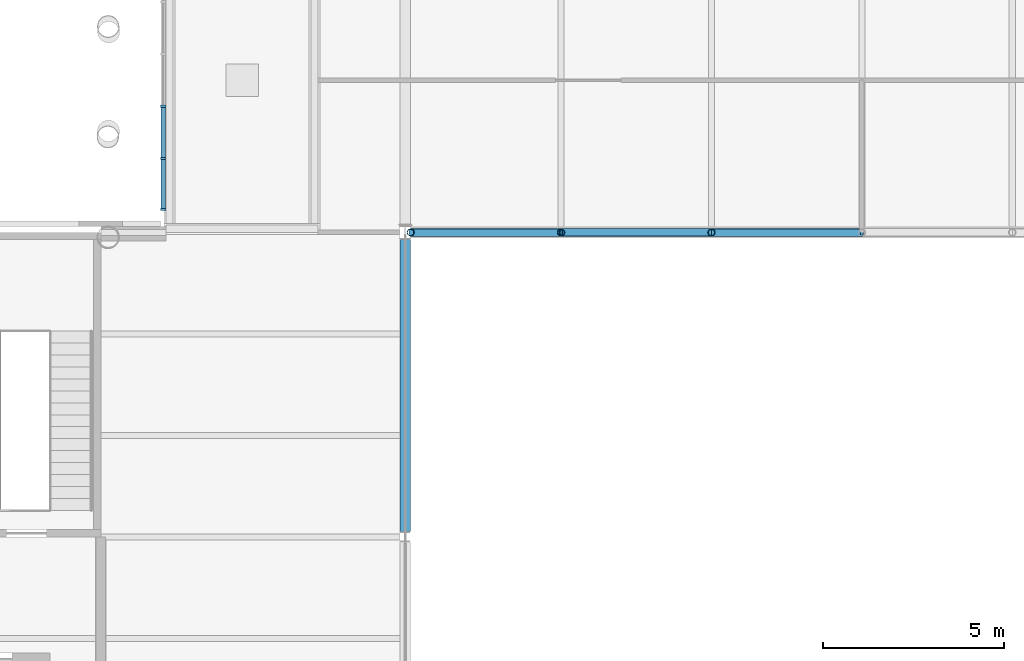
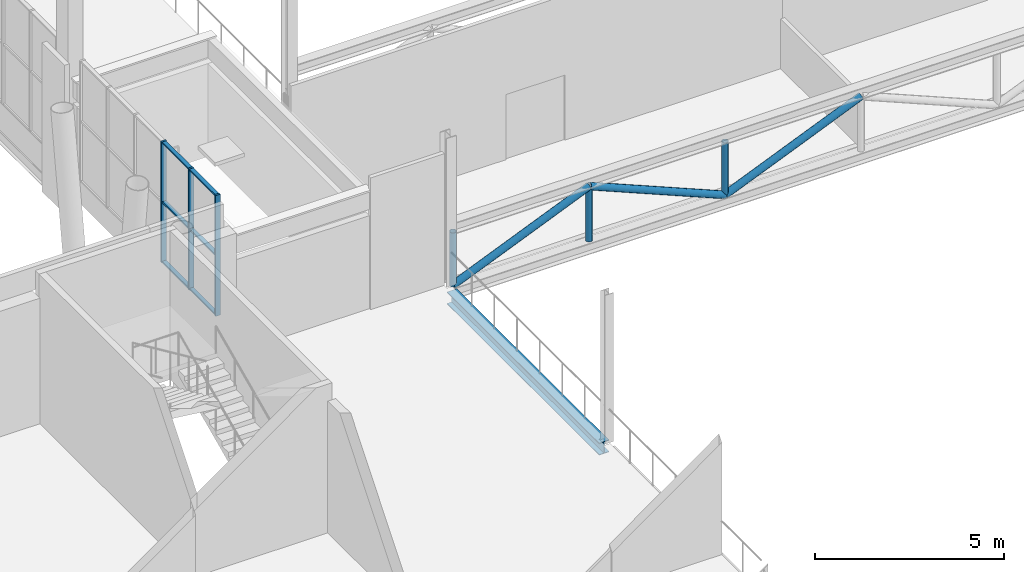
# One storey, part 12 of 76: 15 members, 1 beam, 1 element without a shape of its own.
"""IFC4 building model written with IfcOpenShell, lengths in metres."""

from ifc_helpers import new_model, si_unit, direction, frame, origin, origin_2d, place, context, subcontext, project, spatial, rectangle, hollow_circle, i_section, extrude, material, material_profile, profile_set, type_object, element, aggregate, save


model = new_model("IFC4")

# Units and contexts
model_context = context("Model", 3, precision=1e-05, world=origin(), true_north=direction((0.0, 1.0)))
body_context = subcontext(model_context, "Body", "Model", "MODEL_VIEW")
ifc_project = project(units=[si_unit("LENGTHUNIT", "METRE"), si_unit("AREAUNIT", "SQUARE_METRE"), si_unit("VOLUMEUNIT", "CUBIC_METRE"), si_unit("PLANEANGLEUNIT", "RADIAN"), si_unit("MASSUNIT", "GRAM", prefix="KILO")], contexts=[model_context])

# Site, building, storey
site_placement = place(None, origin())
site = spatial("IfcSite", under=ifc_project, at=site_placement, CompositionType="ELEMENT")
building_placement = place(site_placement, origin())
building = spatial("IfcBuilding", under=site, at=building_placement, Name="Sava Quay Ferry Terminal", CompositionType="ELEMENT")
storey_placement = place(building_placement, frame((0.0, 0.0, 6.0)))
storey = spatial("IfcBuildingStorey", under=building, at=storey_placement, Name="L01", CompositionType="ELEMENT", Elevation=6.0)

# Members
ifc_material_1 = material(Name="Steel S355", Category="steel")
ifc_material_profile_1 = material_profile(ifc_material_1, hollow_circle(Radius=0.096923828125, WallThickness=0.008056640625, at=origin_2d()), Name="CHS 193.7 x 8")
ifc_profile_set_1 = profile_set([ifc_material_profile_1], Name="Steel S355")
member_type_1 = type_object("IfcMemberType", Name="Brace CHS 193.7 x 8", PredefinedType="BRACE", material=ifc_profile_set_1)
for number, where, z_axis, x_axis, name in (
    (1, (50.550048828125, 50.39990234375, -0.1298828125), (0.0, 0.0, 1.0), (1.0, 0.0, 0.0), "Truss post 50.4"),
    (2, (54.699951171875, 50.39990234375, -0.1298828125), (0.0, 0.0, 1.0), (1.0, 0.0, 0.0), "Truss post 50.4"),
    (3, (58.85009765625, 50.39990234375, -0.1298828125), (0.0, 0.0, 1.0), (1.0, 0.0, 0.0), "Truss post 50.4"),
):
    element("IfcMember", number, at=place(storey_placement, frame(where, z_axis=z_axis, x_axis=x_axis)), inside=storey, type_object=member_type_1, Name=name, PredefinedType="BRACE", context=body_context, shape_type="SweptSolid", body=[
        extrude(hollow_circle(Radius=0.096923828125, WallThickness=0.008056640625, at=origin_2d()), origin(), (0.0, 0.0, 1.0), 1.739990234375),
    ])
ifc_material_2 = material(Name="Steel S355", Category="steel")
ifc_material_profile_2 = material_profile(ifc_material_2, hollow_circle(Radius=0.109619140625, WallThickness=0.010009765625, at=origin_2d()), Name="CHS 219.1 x 10")
ifc_profile_set_2 = profile_set([ifc_material_profile_2], Name="Steel S355")
member_type_2 = type_object("IfcMemberType", Name="Brace CHS 219.1 x 10", PredefinedType="BRACE", material=ifc_profile_set_2)
member_1_placement = place(storey_placement, frame((50.550048828125, 50.39990234375, -0.1298828125), z_axis=(0.922217474343, 0.0, 0.386671604874), x_axis=(0.0, 1.0, 0.0)))
element("IfcMember", 4, at=member_1_placement, inside=storey, type_object=member_type_2, Name="Truss diagonal 50.4", PredefinedType="BRACE", context=body_context, shape_type="SweptSolid", body=[
    extrude(hollow_circle(Radius=0.109619140625, WallThickness=0.010009765625, at=origin_2d()), origin(), (0.0, 0.0, 1.0), 4.5),
])
member_2_placement = place(storey_placement, frame((58.85009765625, 50.39990234375, -0.1298828125), z_axis=(-0.922225585588, 0.0, 0.386652258867), x_axis=(0.0, -1.0, 0.0)))
element("IfcMember", 5, at=member_2_placement, inside=storey, type_object=member_type_2, Name="Truss diagonal 50.4", PredefinedType="BRACE", context=body_context, shape_type="SweptSolid", body=[
    extrude(hollow_circle(Radius=0.109619140625, WallThickness=0.010009765625, at=origin_2d()), origin(), (0.0, 0.0, 1.0), 4.500244140625),
])
member_3_placement = place(storey_placement, frame((58.85009765625, 50.39990234375, -0.1298828125), z_axis=(0.922217474343, 0.0, 0.386671604874), x_axis=(0.0, 1.0, 0.0)))
element("IfcMember", 6, at=member_3_placement, inside=storey, type_object=member_type_2, Name="Truss diagonal 50.4", PredefinedType="BRACE", context=body_context, shape_type="SweptSolid", body=[
    extrude(hollow_circle(Radius=0.109619140625, WallThickness=0.010009765625, at=origin_2d()), origin(), (0.0, 0.0, 1.0), 4.5),
])

# Beam
ifc_material_3 = material(Name="Steel S355", Category="steel")
ifc_material_profile_3 = material_profile(ifc_material_3, i_section(OverallWidth=0.300048828125, OverallDepth=0.389892578125, WebThickness=0.010986328125, FlangeThickness=0.01904296875, at=origin_2d()), Name="HE 400 A")
ifc_profile_set_3 = profile_set([ifc_material_profile_3], Name="Steel S355")
beam_type = type_object("IfcBeamType", Name="Girder HE 400 A", PredefinedType="BEAM", material=ifc_profile_set_3)
beam_placement = place(storey_placement, frame((50.39990234375, 42.14990234375, -0.324951171875), z_axis=(0.0, 1.0, 0.0), x_axis=(-1.0, 0.0, 0.0)))
element("IfcBeam", 7, at=beam_placement, inside=storey, type_object=beam_type, Name="Girder L01", PredefinedType="BEAM", context=body_context, shape_type="SweptSolid", body=[
    extrude(i_section(OverallWidth=0.300048828125, OverallDepth=0.389892578125, WebThickness=0.010986328125, FlangeThickness=0.01904296875, at=origin_2d()), origin(), (0.0, 0.0, 1.0), 8.050048828125),
])

# Curtain wall, members
ifc_material_4 = material(Name="Aluminium and glass curtain wall, double low-e glazed", Category="aluminium")
curtain_wall_type = type_object("IfcCurtainWallType", Name="Curtain wall CW-F flank", PredefinedType="NOTDEFINED", material=ifc_material_4)
curtain_wall_placement = place(storey_placement, origin())
curtain_wall = element("IfcCurtainWall", 8, at=curtain_wall_placement, inside=storey, type_object=curtain_wall_type, Name="Curtain wall D-W L01 bay 1", PredefinedType="NOTDEFINED")
ifc_material_5 = material(Name="Aluminium EN AW-6063 T6", Category="aluminium")
ifc_material_profile_4 = material_profile(ifc_material_5, rectangle(XDim=0.14990234375, YDim=0.06005859375, at=origin_2d()), Name="Mullion 60x150 aluminium")
ifc_profile_set_4 = profile_set([ifc_material_profile_4], Name="Aluminium EN AW-6063 T6")
member_type_3 = type_object("IfcMemberType", Name="Mullion 60x150 aluminium", PredefinedType="MULLION", material=ifc_profile_set_4)
member_4_placement = place(storey_placement, frame((43.72509765625, 51.030029296875, 0.89990234375), z_axis=(0.0, 0.0, 1.0), x_axis=(-1.0, 0.0, 0.0)))
member_4 = element("IfcMember", 9, at=member_4_placement, type_object=member_type_3, Name="CW96 mullion 1", PredefinedType="MULLION", context=body_context, shape_type="SweptSolid", body=[
    extrude(rectangle(XDim=0.14990234375, YDim=0.06005859375, at=origin_2d()), origin(), (0.0, 0.0, 1.0), 3.900146484375),
])
member_5_placement = place(storey_placement, frame((43.72509765625, 52.43994140625, 0.89990234375), z_axis=(0.0, 0.0, 1.0), x_axis=(-1.0, 0.0, 0.0)))
member_5 = element("IfcMember", 10, at=member_5_placement, type_object=member_type_3, Name="CW96 mullion 2", PredefinedType="MULLION", context=body_context, shape_type="SweptSolid", body=[
    extrude(rectangle(XDim=0.14990234375, YDim=0.06005859375, at=origin_2d()), origin(), (0.0, 0.0, 1.0), 3.900146484375),
])
member_6_placement = place(storey_placement, frame((43.72509765625, 53.8798828125, 0.89990234375), z_axis=(0.0, 0.0, 1.0), x_axis=(-1.0, 0.0, 0.0)))
member_6 = element("IfcMember", 11, at=member_6_placement, type_object=member_type_3, Name="CW96 mullion 3", PredefinedType="MULLION", context=body_context, shape_type="SweptSolid", body=[
    extrude(rectangle(XDim=0.14990234375, YDim=0.06005859375, at=origin_2d()), origin(), (0.0, 0.0, 1.0), 3.900146484375),
])
ifc_material_6 = material(Name="Aluminium EN AW-6063 T6", Category="aluminium")
ifc_material_profile_5 = material_profile(ifc_material_6, rectangle(XDim=0.1201171875, YDim=0.050048828125, at=origin_2d()), Name="Transom 50x120 aluminium")
ifc_profile_set_5 = profile_set([ifc_material_profile_5], Name="Aluminium EN AW-6063 T6")
member_type_4 = type_object("IfcMemberType", Name="Transom 50x120 aluminium", PredefinedType="USERDEFINED", material=ifc_profile_set_5)
member_7_placement = place(storey_placement, frame((43.72509765625, 51.06005859375, 0.925048828125), z_axis=(0.0, 1.0, 0.0), x_axis=(-1.0, 0.0, 0.0)))
member_7 = element("IfcMember", 12, at=member_7_placement, type_object=member_type_4, Name="CW96 transom 1.1", ObjectType="TRANSOM", PredefinedType="USERDEFINED", context=body_context, shape_type="SweptSolid", body=[
    extrude(rectangle(XDim=0.1201171875, YDim=0.050048828125, at=origin_2d()), origin(), (0.0, 0.0, 1.0), 1.349853515625),
])
member_8_placement = place(storey_placement, frame((43.72509765625, 51.06005859375, 2.85009765625), z_axis=(0.0, 1.0, 0.0), x_axis=(-1.0, 0.0, 0.0)))
member_8 = element("IfcMember", 13, at=member_8_placement, type_object=member_type_4, Name="CW96 transom 1.2", ObjectType="TRANSOM", PredefinedType="USERDEFINED", context=body_context, shape_type="SweptSolid", body=[
    extrude(rectangle(XDim=0.1201171875, YDim=0.050048828125, at=origin_2d()), origin(), (0.0, 0.0, 1.0), 1.349853515625),
])
member_9_placement = place(storey_placement, frame((43.72509765625, 51.06005859375, 4.77490234375), z_axis=(0.0, 1.0, 0.0), x_axis=(-1.0, 0.0, 0.0)))
member_9 = element("IfcMember", 14, at=member_9_placement, type_object=member_type_4, Name="CW96 transom 1.3", ObjectType="TRANSOM", PredefinedType="USERDEFINED", context=body_context, shape_type="SweptSolid", body=[
    extrude(rectangle(XDim=0.1201171875, YDim=0.050048828125, at=origin_2d()), origin(), (0.0, 0.0, 1.0), 1.349853515625),
])
member_10_placement = place(storey_placement, frame((43.72509765625, 52.469970703125, 0.925048828125), z_axis=(0.0, 1.0, 0.0), x_axis=(-1.0, 0.0, 0.0)))
member_10 = element("IfcMember", 15, at=member_10_placement, type_object=member_type_4, Name="CW96 transom 2.1", ObjectType="TRANSOM", PredefinedType="USERDEFINED", context=body_context, shape_type="SweptSolid", body=[
    extrude(rectangle(XDim=0.1201171875, YDim=0.050048828125, at=origin_2d()), origin(), (0.0, 0.0, 1.0), 1.380126953125),
])
member_11_placement = place(storey_placement, frame((43.72509765625, 52.469970703125, 2.85009765625), z_axis=(0.0, 1.0, 0.0), x_axis=(-1.0, 0.0, 0.0)))
member_11 = element("IfcMember", 16, at=member_11_placement, type_object=member_type_4, Name="CW96 transom 2.2", ObjectType="TRANSOM", PredefinedType="USERDEFINED", context=body_context, shape_type="SweptSolid", body=[
    extrude(rectangle(XDim=0.1201171875, YDim=0.050048828125, at=origin_2d()), origin(), (0.0, 0.0, 1.0), 1.380126953125),
])
member_12_placement = place(storey_placement, frame((43.72509765625, 52.469970703125, 4.77490234375), z_axis=(0.0, 1.0, 0.0), x_axis=(-1.0, 0.0, 0.0)))
member_12 = element("IfcMember", 17, at=member_12_placement, type_object=member_type_4, Name="CW96 transom 2.3", ObjectType="TRANSOM", PredefinedType="USERDEFINED", context=body_context, shape_type="SweptSolid", body=[
    extrude(rectangle(XDim=0.1201171875, YDim=0.050048828125, at=origin_2d()), origin(), (0.0, 0.0, 1.0), 1.380126953125),
])
aggregate(curtain_wall, [member_4, member_5, member_6, member_7, member_8, member_9, member_10, member_11, member_12])

save(model, "model.ifc")
